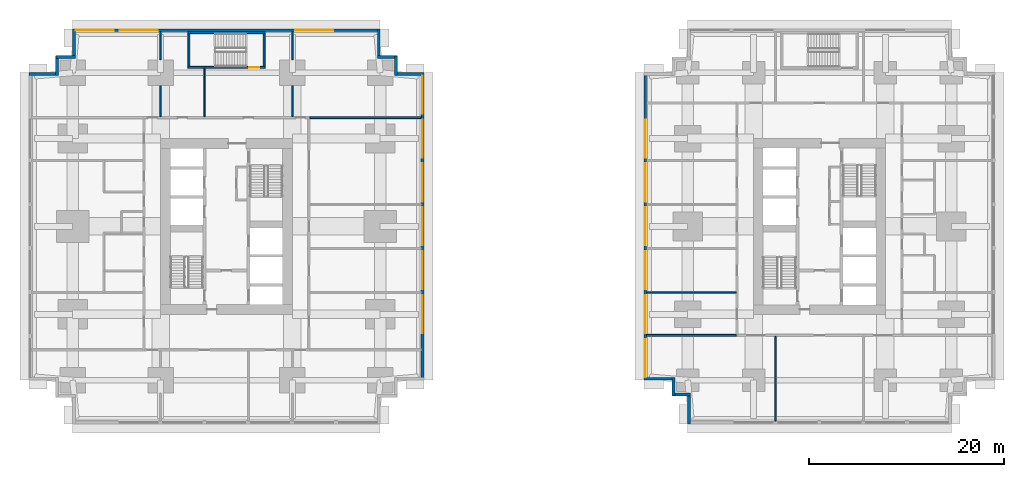
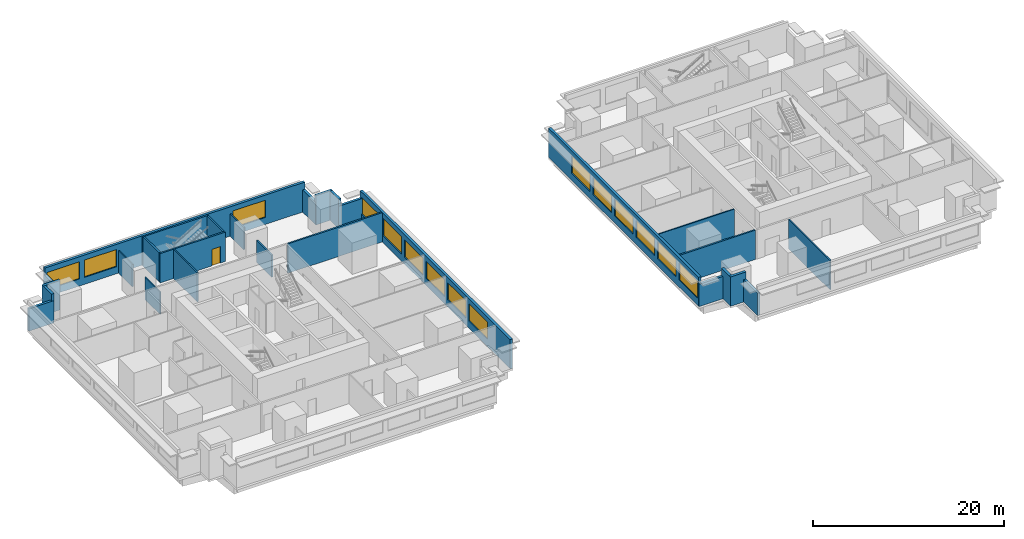
# One storey, part 5 of 11: 28 walls, 15 windows, 1 door, 16 openings.
"""IFC4 building model written with IfcOpenShell, lengths in metres."""

from ifc_helpers import new_model, si_unit, direction, frame, frame_2d, origin, place, context, subcontext, project, spatial, rectangle, extrude, material, layer, layer_set, type_object, element, fill, save


model = new_model("IFC4")

# Units and contexts
model_context = context("Model", 3, precision=1e-05, world=origin(), true_north=direction((0.0, 1.0)))
body_context = subcontext(model_context, "Body", "Model", "MODEL_VIEW")
ifc_project = project(units=[si_unit("LENGTHUNIT", "METRE"), si_unit("AREAUNIT", "SQUARE_METRE"), si_unit("VOLUMEUNIT", "CUBIC_METRE"), si_unit("PLANEANGLEUNIT", "RADIAN"), si_unit("MASSUNIT", "GRAM", prefix="KILO")], contexts=[model_context])

# Site, building, storey
site_placement = place(None, origin())
site = spatial("IfcSite", under=ifc_project, at=site_placement, CompositionType="ELEMENT")
building_placement = place(site_placement, origin())
building = spatial("IfcBuilding", under=site, at=building_placement, Name="Namib Vertical Campus", CompositionType="ELEMENT")
storey_placement = place(building_placement, frame((0.0, 0.0, 29.0)))
storey = spatial("IfcBuildingStorey", under=building, at=storey_placement, Name="L06", CompositionType="ELEMENT", Elevation=29.0)

# Walls
ifc_material_1 = material(Name="Concrete masonry", Category="masonry")
ifc_layer_1 = layer(ifc_material_1, 0.199951171875)
ifc_layer_set_1 = layer_set([ifc_layer_1], Name="Corridor wall 200")
wall_type_1 = type_object("IfcWallType", Name="Corridor wall 200", PredefinedType="SOLIDWALL", material=ifc_layer_set_1)
wall_1_placement = place(storey_placement, frame((28.800048828125, 31.39990234375, 0.0), z_axis=(0.0, 0.0, 1.0), x_axis=(1.0, 0.0, 0.0)))
element("IfcWall", 1, at=wall_1_placement, inside=storey, type_object=wall_type_1, Name="Partition A L06 BNE", PredefinedType="SOLIDWALL", context=body_context, shape_type="SweptSolid", body=[
    extrude(rectangle(XDim=11.39990234375, YDim=0.199951171875, at=frame_2d((5.699951171875, 0.0))), origin(), (0.0, 0.0, 1.0), 3.75),
])
wall_2_placement = place(storey_placement, frame((63.300048828125, 9.10009765625, 0.0), z_axis=(0.0, 0.0, 1.0), x_axis=(1.0, 0.0, 0.0)))
element("IfcWall", 2, at=wall_2_placement, inside=storey, type_object=wall_type_1, Name="Partition B L06 BSW", PredefinedType="SOLIDWALL", context=body_context, shape_type="SweptSolid", body=[
    extrude(rectangle(XDim=9.14990234375, YDim=0.199951171875, at=frame_2d((4.574951171875, 0.0))), origin(), (0.0, 0.0, 1.0), 3.75),
])

# Wall, openings, windows
ifc_material_2 = material(Name="Concrete C40/50", Category="concrete")
ifc_layer_2 = layer(ifc_material_2, 0.300048828125)
ifc_layer_set_2 = layer_set([ifc_layer_2], Name="Concrete C40/50")
wall_type_2 = type_object("IfcWallType", Name="External wall 300 board-marked concrete", PredefinedType="STANDARD", material=ifc_layer_set_2)
wall_3_placement = place(storey_placement, frame((40.35009765625, 4.52001953125, 0.0), z_axis=(0.0, 0.0, 1.0), x_axis=(0.0, 1.0, 0.0)))
wall_3 = element("IfcWall", 3, at=wall_3_placement, inside=storey, type_object=wall_type_2, Name="External wall L06 F06", PredefinedType="STANDARD", context=body_context, shape_type="SweptSolid", body=[
    extrude(rectangle(XDim=31.4599609375, YDim=0.300048828125, at=frame_2d((15.72998046875, 0.0))), origin(), (0.0, 0.0, 1.0), 3.75),
])
opening_1_placement = place(wall_3_placement, frame((4.780029296875, 0.0, 0.89990234375)))
opening_1 = element("IfcOpeningElement", 4, at=opening_1_placement, cuts=wall_3, Name="Opening W1", PredefinedType="OPENING", context=body_context, shape_type="SweptSolid", body=[
    extrude(rectangle(XDim=3.89990234375, YDim=2.199951171875, at=frame_2d((1.949951171875, 1.10009765625))), frame((0.0, 0.159912109375, 0.0), z_axis=(0.0, -1.0, 0.0), x_axis=(1.0, 0.0, 0.0)), (0.0, 0.0, 1.0), 0.320068359375),
])
opening_2_placement = place(wall_3_placement, frame((9.280029296875, 0.0, 0.89990234375)))
opening_2 = element("IfcOpeningElement", 5, at=opening_2_placement, cuts=wall_3, Name="Opening W1", PredefinedType="OPENING", context=body_context, shape_type="SweptSolid", body=[
    extrude(rectangle(XDim=3.89990234375, YDim=2.199951171875, at=frame_2d((1.949951171875, 1.10009765625))), frame((0.0, 0.159912109375, 0.0), z_axis=(0.0, -1.0, 0.0), x_axis=(1.0, 0.0, 0.0)), (0.0, 0.0, 1.0), 0.320068359375),
])
opening_3_placement = place(wall_3_placement, frame((13.780029296875, 0.0, 0.89990234375)))
opening_3 = element("IfcOpeningElement", 6, at=opening_3_placement, cuts=wall_3, Name="Opening W1", PredefinedType="OPENING", context=body_context, shape_type="SweptSolid", body=[
    extrude(rectangle(XDim=3.89990234375, YDim=2.199951171875, at=frame_2d((1.949951171875, 1.10009765625))), frame((0.0, 0.159912109375, 0.0), z_axis=(0.0, -1.0, 0.0), x_axis=(1.0, 0.0, 0.0)), (0.0, 0.0, 1.0), 0.320068359375),
])
opening_4_placement = place(wall_3_placement, frame((18.280029296875, 0.0, 0.89990234375)))
opening_4 = element("IfcOpeningElement", 7, at=opening_4_placement, cuts=wall_3, Name="Opening W1", PredefinedType="OPENING", context=body_context, shape_type="SweptSolid", body=[
    extrude(rectangle(XDim=3.89990234375, YDim=2.199951171875, at=frame_2d((1.949951171875, 1.10009765625))), frame((0.0, 0.159912109375, 0.0), z_axis=(0.0, -1.0, 0.0), x_axis=(1.0, 0.0, 0.0)), (0.0, 0.0, 1.0), 0.320068359375),
])
opening_5_placement = place(wall_3_placement, frame((22.780029296875, 0.0, 0.89990234375)))
opening_5 = element("IfcOpeningElement", 8, at=opening_5_placement, cuts=wall_3, Name="Opening W1", PredefinedType="OPENING", context=body_context, shape_type="SweptSolid", body=[
    extrude(rectangle(XDim=3.89990234375, YDim=2.199951171875, at=frame_2d((1.949951171875, 1.10009765625))), frame((0.0, 0.159912109375, 0.0), z_axis=(0.0, -1.0, 0.0), x_axis=(1.0, 0.0, 0.0)), (0.0, 0.0, 1.0), 0.320068359375),
])
opening_6_placement = place(wall_3_placement, frame((27.280029296875, 0.0, 0.89990234375)))
opening_6 = element("IfcOpeningElement", 9, at=opening_6_placement, cuts=wall_3, Name="Opening W1", PredefinedType="OPENING", context=body_context, shape_type="SweptSolid", body=[
    extrude(rectangle(XDim=3.89990234375, YDim=2.199951171875, at=frame_2d((1.949951171875, 1.10009765625))), frame((0.0, 0.159912109375, 0.0), z_axis=(0.0, -1.0, 0.0), x_axis=(1.0, 0.0, 0.0)), (0.0, 0.0, 1.0), 0.320068359375),
])
ifc_material_3 = material(Name="Dark tinted glass in black aluminium frame", Category="aluminium")
window_type = type_object("IfcWindowType", Name="Ribbon window 3900x2200", PartitioningType="SINGLE_PANEL", PredefinedType="WINDOW", material=ifc_material_3)
window_1_placement = place(opening_1_placement, origin())
window_1 = element("IfcWindow", 10, at=window_1_placement, inside=storey, type_object=window_type, Name="Window W1 L06 F06-2", OverallHeight=2.199951171875, OverallWidth=3.89990234375, PartitioningType="SINGLE_PANEL", PredefinedType="WINDOW", context=body_context, shape_type="SweptSolid", body=[
    extrude(rectangle(XDim=3.89990234375, YDim=2.199951171875, at=frame_2d((1.949951171875, 1.10009765625))), frame((0.0, 0.030029296875, 0.0), z_axis=(0.0, -1.0, 0.0), x_axis=(1.0, 0.0, 0.0)), (0.0, 0.0, 1.0), 0.06005859375),
])
fill(opening_1, window_1)
window_2_placement = place(opening_2_placement, origin())
window_2 = element("IfcWindow", 11, at=window_2_placement, inside=storey, type_object=window_type, Name="Window W1 L06 F06-3", OverallHeight=2.199951171875, OverallWidth=3.89990234375, PartitioningType="SINGLE_PANEL", PredefinedType="WINDOW", context=body_context, shape_type="SweptSolid", body=[
    extrude(rectangle(XDim=3.89990234375, YDim=2.199951171875, at=frame_2d((1.949951171875, 1.10009765625))), frame((0.0, 0.030029296875, 0.0), z_axis=(0.0, -1.0, 0.0), x_axis=(1.0, 0.0, 0.0)), (0.0, 0.0, 1.0), 0.06005859375),
])
fill(opening_2, window_2)
window_3_placement = place(opening_3_placement, origin())
window_3 = element("IfcWindow", 12, at=window_3_placement, inside=storey, type_object=window_type, Name="Window W1 L06 F06-4", OverallHeight=2.199951171875, OverallWidth=3.89990234375, PartitioningType="SINGLE_PANEL", PredefinedType="WINDOW", context=body_context, shape_type="SweptSolid", body=[
    extrude(rectangle(XDim=3.89990234375, YDim=2.199951171875, at=frame_2d((1.949951171875, 1.10009765625))), frame((0.0, 0.030029296875, 0.0), z_axis=(0.0, -1.0, 0.0), x_axis=(1.0, 0.0, 0.0)), (0.0, 0.0, 1.0), 0.06005859375),
])
fill(opening_3, window_3)
window_4_placement = place(opening_4_placement, origin())
window_4 = element("IfcWindow", 13, at=window_4_placement, inside=storey, type_object=window_type, Name="Window W1 L06 F06-5", OverallHeight=2.199951171875, OverallWidth=3.89990234375, PartitioningType="SINGLE_PANEL", PredefinedType="WINDOW", context=body_context, shape_type="SweptSolid", body=[
    extrude(rectangle(XDim=3.89990234375, YDim=2.199951171875, at=frame_2d((1.949951171875, 1.10009765625))), frame((0.0, 0.030029296875, 0.0), z_axis=(0.0, -1.0, 0.0), x_axis=(1.0, 0.0, 0.0)), (0.0, 0.0, 1.0), 0.06005859375),
])
fill(opening_4, window_4)
window_5_placement = place(opening_5_placement, origin())
window_5 = element("IfcWindow", 14, at=window_5_placement, inside=storey, type_object=window_type, Name="Window W1 L06 F06-6", OverallHeight=2.199951171875, OverallWidth=3.89990234375, PartitioningType="SINGLE_PANEL", PredefinedType="WINDOW", context=body_context, shape_type="SweptSolid", body=[
    extrude(rectangle(XDim=3.89990234375, YDim=2.199951171875, at=frame_2d((1.949951171875, 1.10009765625))), frame((0.0, 0.030029296875, 0.0), z_axis=(0.0, -1.0, 0.0), x_axis=(1.0, 0.0, 0.0)), (0.0, 0.0, 1.0), 0.06005859375),
])
fill(opening_5, window_5)
window_6_placement = place(opening_6_placement, origin())
window_6 = element("IfcWindow", 15, at=window_6_placement, inside=storey, type_object=window_type, Name="Window W1 L06 F06-7", OverallHeight=2.199951171875, OverallWidth=3.89990234375, PartitioningType="SINGLE_PANEL", PredefinedType="WINDOW", context=body_context, shape_type="SweptSolid", body=[
    extrude(rectangle(XDim=3.89990234375, YDim=2.199951171875, at=frame_2d((1.949951171875, 1.10009765625))), frame((0.0, 0.030029296875, 0.0), z_axis=(0.0, -1.0, 0.0), x_axis=(1.0, 0.0, 0.0)), (0.0, 0.0, 1.0), 0.06005859375),
])
fill(opening_6, window_6)

# Walls
wall_4_placement = place(storey_placement, frame((40.47998046875, 35.85009765625, 0.0), z_axis=(0.0, 0.0, 1.0), x_axis=(-1.0, 0.0, 0.0)))
element("IfcWall", 16, at=wall_4_placement, inside=storey, type_object=wall_type_2, Name="External wall L06 F07", PredefinedType="STANDARD", context=body_context, shape_type="SweptSolid", body=[
    extrude(rectangle(XDim=3.010009765625, YDim=0.300048828125, at=frame_2d((1.5048828125, 0.0))), origin(), (0.0, 0.0, 1.0), 2.85009765625),
])
for number, where, z_axis, x_axis, name in (
    (17, (37.60009765625, 35.719970703125, 0.0), (0.0, 0.0, 1.0), (0.0, 1.0, 0.0), "External wall L06 F08"),
    (18, (37.72998046875, 37.60009765625, 0.0), (0.0, 0.0, 1.0), (-1.0, 0.0, 0.0), "External wall L06 F09"),
):
    element("IfcWall", number, at=place(storey_placement, frame(where, z_axis=z_axis, x_axis=x_axis)), inside=storey, type_object=wall_type_2, Name=name, PredefinedType="STANDARD", context=body_context, shape_type="SweptSolid", body=[
        extrude(rectangle(XDim=2.010009765625, YDim=0.300048828125, at=frame_2d((1.0048828125, 0.0))), origin(), (0.0, 0.0, 1.0), 3.75),
    ])
wall_5_placement = place(storey_placement, frame((35.85009765625, 37.469970703125, 0.0), z_axis=(0.0, 0.0, 1.0), x_axis=(0.0, 1.0, 0.0)))
element("IfcWall", 19, at=wall_5_placement, inside=storey, type_object=wall_type_2, Name="External wall L06 F10", PredefinedType="STANDARD", context=body_context, shape_type="SweptSolid", body=[
    extrude(rectangle(XDim=3.010009765625, YDim=0.300048828125, at=frame_2d((1.5048828125, 0.0))), origin(), (0.0, 0.0, 1.0), 2.85009765625),
])

# Wall, openings, windows
wall_6_placement = place(storey_placement, frame((35.97998046875, 40.35009765625, 0.0), z_axis=(0.0, 0.0, 1.0), x_axis=(-1.0, 0.0, 0.0)))
wall_6 = element("IfcWall", 20, at=wall_6_placement, inside=storey, type_object=wall_type_2, Name="External wall L06 F11", PredefinedType="STANDARD", context=body_context, shape_type="SweptSolid", body=[
    extrude(rectangle(XDim=31.4599609375, YDim=0.300048828125, at=frame_2d((15.72998046875, 0.0))), origin(), (0.0, 0.0, 1.0), 3.75),
])
opening_7_placement = place(wall_6_placement, frame((27.280029296875, 0.0, 0.89990234375)))
opening_7 = element("IfcOpeningElement", 21, at=opening_7_placement, cuts=wall_6, Name="Opening W1", PredefinedType="OPENING", context=body_context, shape_type="SweptSolid", body=[
    extrude(rectangle(XDim=3.89990234375, YDim=2.199951171875, at=frame_2d((1.949951171875, 1.10009765625))), frame((0.0, 0.159912109375, 0.0), z_axis=(0.0, -1.0, 0.0), x_axis=(1.0, 0.0, 0.0)), (0.0, 0.0, 1.0), 0.320068359375),
])
opening_8_placement = place(wall_6_placement, frame((22.780029296875, 0.0, 0.89990234375)))
opening_8 = element("IfcOpeningElement", 22, at=opening_8_placement, cuts=wall_6, Name="Opening W1", PredefinedType="OPENING", context=body_context, shape_type="SweptSolid", body=[
    extrude(rectangle(XDim=3.89990234375, YDim=2.199951171875, at=frame_2d((1.949951171875, 1.10009765625))), frame((0.0, 0.159912109375, 0.0), z_axis=(0.0, -1.0, 0.0), x_axis=(1.0, 0.0, 0.0)), (0.0, 0.0, 1.0), 0.320068359375),
])
opening_9_placement = place(wall_6_placement, frame((4.780029296875, 0.0, 0.89990234375)))
opening_9 = element("IfcOpeningElement", 23, at=opening_9_placement, cuts=wall_6, Name="Opening W1", PredefinedType="OPENING", context=body_context, shape_type="SweptSolid", body=[
    extrude(rectangle(XDim=3.89990234375, YDim=2.199951171875, at=frame_2d((1.949951171875, 1.10009765625))), frame((0.0, 0.159912109375, 0.0), z_axis=(0.0, -1.0, 0.0), x_axis=(1.0, 0.0, 0.0)), (0.0, 0.0, 1.0), 0.320068359375),
])
window_7_placement = place(opening_7_placement, origin())
window_7 = element("IfcWindow", 24, at=window_7_placement, inside=storey, type_object=window_type, Name="Window W1 L06 F11-1", OverallHeight=2.199951171875, OverallWidth=3.89990234375, PartitioningType="SINGLE_PANEL", PredefinedType="WINDOW", context=body_context, shape_type="SweptSolid", body=[
    extrude(rectangle(XDim=3.89990234375, YDim=2.199951171875, at=frame_2d((1.949951171875, 1.10009765625))), frame((0.0, 0.030029296875, 0.0), z_axis=(0.0, -1.0, 0.0), x_axis=(1.0, 0.0, 0.0)), (0.0, 0.0, 1.0), 0.06005859375),
])
fill(opening_7, window_7)
window_8_placement = place(opening_8_placement, origin())
window_8 = element("IfcWindow", 25, at=window_8_placement, inside=storey, type_object=window_type, Name="Window W1 L06 F11-2", OverallHeight=2.199951171875, OverallWidth=3.89990234375, PartitioningType="SINGLE_PANEL", PredefinedType="WINDOW", context=body_context, shape_type="SweptSolid", body=[
    extrude(rectangle(XDim=3.89990234375, YDim=2.199951171875, at=frame_2d((1.949951171875, 1.10009765625))), frame((0.0, 0.030029296875, 0.0), z_axis=(0.0, -1.0, 0.0), x_axis=(1.0, 0.0, 0.0)), (0.0, 0.0, 1.0), 0.06005859375),
])
fill(opening_8, window_8)
window_9_placement = place(opening_9_placement, origin())
window_9 = element("IfcWindow", 26, at=window_9_placement, inside=storey, type_object=window_type, Name="Window W1 L06 F11-6", OverallHeight=2.199951171875, OverallWidth=3.89990234375, PartitioningType="SINGLE_PANEL", PredefinedType="WINDOW", context=body_context, shape_type="SweptSolid", body=[
    extrude(rectangle(XDim=3.89990234375, YDim=2.199951171875, at=frame_2d((1.949951171875, 1.10009765625))), frame((0.0, 0.030029296875, 0.0), z_axis=(0.0, -1.0, 0.0), x_axis=(1.0, 0.0, 0.0)), (0.0, 0.0, 1.0), 0.06005859375),
])
fill(opening_9, window_9)

# Walls
wall_7_placement = place(storey_placement, frame((4.64990234375, 40.47998046875, 0.0), z_axis=(0.0, 0.0, 1.0), x_axis=(0.0, -1.0, 0.0)))
element("IfcWall", 27, at=wall_7_placement, inside=storey, type_object=wall_type_2, Name="External wall L06 F12", PredefinedType="STANDARD", context=body_context, shape_type="SweptSolid", body=[
    extrude(rectangle(XDim=3.010009765625, YDim=0.300048828125, at=frame_2d((1.5048828125, 0.0))), origin(), (0.0, 0.0, 1.0), 2.85009765625),
])
for number, where, z_axis, x_axis, name in (
    (28, (4.780029296875, 37.60009765625, 0.0), (0.0, 0.0, 1.0), (-1.0, 0.0, 0.0), "External wall L06 F13"),
    (29, (2.89990234375, 37.72998046875, 0.0), (0.0, 0.0, 1.0), (0.0, -1.0, 0.0), "External wall L06 F14"),
):
    element("IfcWall", number, at=place(storey_placement, frame(where, z_axis=z_axis, x_axis=x_axis)), inside=storey, type_object=wall_type_2, Name=name, PredefinedType="STANDARD", context=body_context, shape_type="SweptSolid", body=[
        extrude(rectangle(XDim=2.010009765625, YDim=0.300048828125, at=frame_2d((1.0048828125, 0.0))), origin(), (0.0, 0.0, 1.0), 3.75),
    ])
wall_8_placement = place(storey_placement, frame((3.030029296875, 35.85009765625, 0.0), z_axis=(0.0, 0.0, 1.0), x_axis=(-1.0, 0.0, 0.0)))
element("IfcWall", 30, at=wall_8_placement, inside=storey, type_object=wall_type_2, Name="External wall L06 F15", PredefinedType="STANDARD", context=body_context, shape_type="SweptSolid", body=[
    extrude(rectangle(XDim=3.010009765625, YDim=0.300048828125, at=frame_2d((1.5048828125, 0.0))), origin(), (0.0, 0.0, 1.0), 2.85009765625),
])

# Wall, openings, windows
wall_9_placement = place(storey_placement, frame((63.14990234375, 35.97998046875, 0.0), z_axis=(0.0, 0.0, 1.0), x_axis=(0.0, -1.0, 0.0)))
wall_9 = element("IfcWall", 31, at=wall_9_placement, inside=storey, type_object=wall_type_2, Name="External wall L06 F16", PredefinedType="STANDARD", context=body_context, shape_type="SweptSolid", body=[
    extrude(rectangle(XDim=31.4599609375, YDim=0.300048828125, at=frame_2d((15.72998046875, 0.0))), origin(), (0.0, 0.0, 1.0), 3.75),
])
opening_10_placement = place(wall_9_placement, frame((27.280029296875, 0.0, 0.89990234375)))
opening_10 = element("IfcOpeningElement", 32, at=opening_10_placement, cuts=wall_9, Name="Opening W1", PredefinedType="OPENING", context=body_context, shape_type="SweptSolid", body=[
    extrude(rectangle(XDim=3.89990234375, YDim=2.199951171875, at=frame_2d((1.949951171875, 1.10009765625))), frame((0.0, 0.159912109375, 0.0), z_axis=(0.0, -1.0, 0.0), x_axis=(1.0, 0.0, 0.0)), (0.0, 0.0, 1.0), 0.320068359375),
])
opening_11_placement = place(wall_9_placement, frame((22.780029296875, 0.0, 0.89990234375)))
opening_11 = element("IfcOpeningElement", 33, at=opening_11_placement, cuts=wall_9, Name="Opening W1", PredefinedType="OPENING", context=body_context, shape_type="SweptSolid", body=[
    extrude(rectangle(XDim=3.89990234375, YDim=2.199951171875, at=frame_2d((1.949951171875, 1.10009765625))), frame((0.0, 0.159912109375, 0.0), z_axis=(0.0, -1.0, 0.0), x_axis=(1.0, 0.0, 0.0)), (0.0, 0.0, 1.0), 0.320068359375),
])
opening_12_placement = place(wall_9_placement, frame((18.280029296875, 0.0, 0.89990234375)))
opening_12 = element("IfcOpeningElement", 34, at=opening_12_placement, cuts=wall_9, Name="Opening W1", PredefinedType="OPENING", context=body_context, shape_type="SweptSolid", body=[
    extrude(rectangle(XDim=3.89990234375, YDim=2.199951171875, at=frame_2d((1.949951171875, 1.10009765625))), frame((0.0, 0.159912109375, 0.0), z_axis=(0.0, -1.0, 0.0), x_axis=(1.0, 0.0, 0.0)), (0.0, 0.0, 1.0), 0.320068359375),
])
opening_13_placement = place(wall_9_placement, frame((13.780029296875, 0.0, 0.89990234375)))
opening_13 = element("IfcOpeningElement", 35, at=opening_13_placement, cuts=wall_9, Name="Opening W1", PredefinedType="OPENING", context=body_context, shape_type="SweptSolid", body=[
    extrude(rectangle(XDim=3.89990234375, YDim=2.199951171875, at=frame_2d((1.949951171875, 1.10009765625))), frame((0.0, 0.159912109375, 0.0), z_axis=(0.0, -1.0, 0.0), x_axis=(1.0, 0.0, 0.0)), (0.0, 0.0, 1.0), 0.320068359375),
])
opening_14_placement = place(wall_9_placement, frame((9.280029296875, 0.0, 0.89990234375)))
opening_14 = element("IfcOpeningElement", 36, at=opening_14_placement, cuts=wall_9, Name="Opening W1", PredefinedType="OPENING", context=body_context, shape_type="SweptSolid", body=[
    extrude(rectangle(XDim=3.89990234375, YDim=2.199951171875, at=frame_2d((1.949951171875, 1.10009765625))), frame((0.0, 0.159912109375, 0.0), z_axis=(0.0, -1.0, 0.0), x_axis=(1.0, 0.0, 0.0)), (0.0, 0.0, 1.0), 0.320068359375),
])
opening_15_placement = place(wall_9_placement, frame((4.780029296875, 0.0, 0.89990234375)))
opening_15 = element("IfcOpeningElement", 37, at=opening_15_placement, cuts=wall_9, Name="Opening W1", PredefinedType="OPENING", context=body_context, shape_type="SweptSolid", body=[
    extrude(rectangle(XDim=3.89990234375, YDim=2.199951171875, at=frame_2d((1.949951171875, 1.10009765625))), frame((0.0, 0.159912109375, 0.0), z_axis=(0.0, -1.0, 0.0), x_axis=(1.0, 0.0, 0.0)), (0.0, 0.0, 1.0), 0.320068359375),
])
window_10_placement = place(opening_10_placement, origin())
window_10 = element("IfcWindow", 38, at=window_10_placement, inside=storey, type_object=window_type, Name="Window W1 L06 F16-1", OverallHeight=2.199951171875, OverallWidth=3.89990234375, PartitioningType="SINGLE_PANEL", PredefinedType="WINDOW", context=body_context, shape_type="SweptSolid", body=[
    extrude(rectangle(XDim=3.89990234375, YDim=2.199951171875, at=frame_2d((1.949951171875, 1.10009765625))), frame((0.0, 0.030029296875, 0.0), z_axis=(0.0, -1.0, 0.0), x_axis=(1.0, 0.0, 0.0)), (0.0, 0.0, 1.0), 0.06005859375),
])
fill(opening_10, window_10)
window_11_placement = place(opening_11_placement, origin())
window_11 = element("IfcWindow", 39, at=window_11_placement, inside=storey, type_object=window_type, Name="Window W1 L06 F16-2", OverallHeight=2.199951171875, OverallWidth=3.89990234375, PartitioningType="SINGLE_PANEL", PredefinedType="WINDOW", context=body_context, shape_type="SweptSolid", body=[
    extrude(rectangle(XDim=3.89990234375, YDim=2.199951171875, at=frame_2d((1.949951171875, 1.10009765625))), frame((0.0, 0.030029296875, 0.0), z_axis=(0.0, -1.0, 0.0), x_axis=(1.0, 0.0, 0.0)), (0.0, 0.0, 1.0), 0.06005859375),
])
fill(opening_11, window_11)
window_12_placement = place(opening_12_placement, origin())
window_12 = element("IfcWindow", 40, at=window_12_placement, inside=storey, type_object=window_type, Name="Window W1 L06 F16-3", OverallHeight=2.199951171875, OverallWidth=3.89990234375, PartitioningType="SINGLE_PANEL", PredefinedType="WINDOW", context=body_context, shape_type="SweptSolid", body=[
    extrude(rectangle(XDim=3.89990234375, YDim=2.199951171875, at=frame_2d((1.949951171875, 1.10009765625))), frame((0.0, 0.030029296875, 0.0), z_axis=(0.0, -1.0, 0.0), x_axis=(1.0, 0.0, 0.0)), (0.0, 0.0, 1.0), 0.06005859375),
])
fill(opening_12, window_12)
window_13_placement = place(opening_13_placement, origin())
window_13 = element("IfcWindow", 41, at=window_13_placement, inside=storey, type_object=window_type, Name="Window W1 L06 F16-4", OverallHeight=2.199951171875, OverallWidth=3.89990234375, PartitioningType="SINGLE_PANEL", PredefinedType="WINDOW", context=body_context, shape_type="SweptSolid", body=[
    extrude(rectangle(XDim=3.89990234375, YDim=2.199951171875, at=frame_2d((1.949951171875, 1.10009765625))), frame((0.0, 0.030029296875, 0.0), z_axis=(0.0, -1.0, 0.0), x_axis=(1.0, 0.0, 0.0)), (0.0, 0.0, 1.0), 0.06005859375),
])
fill(opening_13, window_13)
window_14_placement = place(opening_14_placement, origin())
window_14 = element("IfcWindow", 42, at=window_14_placement, inside=storey, type_object=window_type, Name="Window W1 L06 F16-5", OverallHeight=2.199951171875, OverallWidth=3.89990234375, PartitioningType="SINGLE_PANEL", PredefinedType="WINDOW", context=body_context, shape_type="SweptSolid", body=[
    extrude(rectangle(XDim=3.89990234375, YDim=2.199951171875, at=frame_2d((1.949951171875, 1.10009765625))), frame((0.0, 0.030029296875, 0.0), z_axis=(0.0, -1.0, 0.0), x_axis=(1.0, 0.0, 0.0)), (0.0, 0.0, 1.0), 0.06005859375),
])
fill(opening_14, window_14)
window_15_placement = place(opening_15_placement, origin())
window_15 = element("IfcWindow", 43, at=window_15_placement, inside=storey, type_object=window_type, Name="Window W1 L06 F16-6", OverallHeight=2.199951171875, OverallWidth=3.89990234375, PartitioningType="SINGLE_PANEL", PredefinedType="WINDOW", context=body_context, shape_type="SweptSolid", body=[
    extrude(rectangle(XDim=3.89990234375, YDim=2.199951171875, at=frame_2d((1.949951171875, 1.10009765625))), frame((0.0, 0.030029296875, 0.0), z_axis=(0.0, -1.0, 0.0), x_axis=(1.0, 0.0, 0.0)), (0.0, 0.0, 1.0), 0.06005859375),
])
fill(opening_15, window_15)

# Walls
wall_10_placement = place(storey_placement, frame((63.02001953125, 4.64990234375, 0.0), z_axis=(0.0, 0.0, 1.0), x_axis=(1.0, 0.0, 0.0)))
element("IfcWall", 44, at=wall_10_placement, inside=storey, type_object=wall_type_2, Name="External wall L06 F17", PredefinedType="STANDARD", context=body_context, shape_type="SweptSolid", body=[
    extrude(rectangle(XDim=3.159912109375, YDim=0.300048828125, at=frame_2d((1.580078125, 0.0))), origin(), (0.0, 0.0, 1.0), 2.85009765625),
])
for number, where, z_axis, x_axis, name in (
    (45, (66.050048828125, 4.780029296875, 0.0), (0.0, 0.0, 1.0), (0.0, -1.0, 0.0), "External wall L06 F18"),
    (46, (65.919921875, 3.050048828125, 0.0), (0.0, 0.0, 1.0), (1.0, 0.0, 0.0), "External wall L06 F19"),
):
    element("IfcWall", number, at=place(storey_placement, frame(where, z_axis=z_axis, x_axis=x_axis)), inside=storey, type_object=wall_type_2, Name=name, PredefinedType="STANDARD", context=body_context, shape_type="SweptSolid", body=[
        extrude(rectangle(XDim=1.860107421875, YDim=0.300048828125, at=frame_2d((0.93017578125, 0.0))), origin(), (0.0, 0.0, 1.0), 3.75),
    ])
wall_11_placement = place(storey_placement, frame((67.64990234375, 3.179931640625, 0.0), z_axis=(0.0, 0.0, 1.0), x_axis=(0.0, -1.0, 0.0)))
element("IfcWall", 47, at=wall_11_placement, inside=storey, type_object=wall_type_2, Name="External wall L06 F20", PredefinedType="STANDARD", context=body_context, shape_type="SweptSolid", body=[
    extrude(rectangle(XDim=3.159912109375, YDim=0.300048828125, at=frame_2d((1.580078125, 0.0))), origin(), (0.0, 0.0, 1.0), 2.85009765625),
])
ifc_material_4 = material(Name="Gypsum board on steel studs", Category="steel")
ifc_layer_3 = layer(ifc_material_4, 0.14990234375)
ifc_layer_set_3 = layer_set([ifc_layer_3], Name="Gypsum board on steel studs")
wall_type_3 = type_object("IfcWallType", Name="Partition 150", PredefinedType="PARTITIONING", material=ifc_layer_set_3)
wall_12_placement = place(storey_placement, frame((13.5, 31.5, 0.0), z_axis=(0.0, 0.0, 1.0), x_axis=(0.0, 1.0, 0.0)))
element("IfcWall", 48, at=wall_12_placement, inside=storey, type_object=wall_type_3, Name="Partition A L06 PN1", PredefinedType="PARTITIONING", context=body_context, shape_type="SweptSolid", body=[
    extrude(rectangle(XDim=3.179931640625, YDim=0.14990234375, at=frame_2d((1.58984375, 0.0))), origin(), (0.0, 0.0, 1.0), 2.85009765625),
])
wall_13_placement = place(storey_placement, frame((13.5, 37.320068359375, 0.0), z_axis=(0.0, 0.0, 1.0), x_axis=(0.0, 1.0, 0.0)))
element("IfcWall", 49, at=wall_13_placement, inside=storey, type_object=wall_type_3, Name="Partition A L06 PN1", PredefinedType="PARTITIONING", context=body_context, shape_type="SweptSolid", body=[
    extrude(rectangle(XDim=2.8798828125, YDim=0.14990234375, at=frame_2d((1.43994140625, 0.0))), origin(), (0.0, 0.0, 1.0), 2.85009765625),
])
wall_14_placement = place(storey_placement, frame((18.0, 31.5, 0.0), z_axis=(0.0, 0.0, 1.0), x_axis=(0.0, 1.0, 0.0)))
element("IfcWall", 50, at=wall_14_placement, inside=storey, type_object=wall_type_3, Name="Partition A L06 PN2", PredefinedType="PARTITIONING", context=body_context, shape_type="SweptSolid", body=[
    extrude(rectangle(XDim=4.949951171875, YDim=0.14990234375, at=frame_2d((2.47509765625, 0.0))), origin(), (0.0, 0.0, 1.0), 3.75),
])
wall_15_placement = place(storey_placement, frame((27.0, 31.5, 0.0), z_axis=(0.0, 0.0, 1.0), x_axis=(0.0, 1.0, 0.0)))
element("IfcWall", 51, at=wall_15_placement, inside=storey, type_object=wall_type_3, Name="Partition A L06 PN3", PredefinedType="PARTITIONING", context=body_context, shape_type="SweptSolid", body=[
    extrude(rectangle(XDim=3.179931640625, YDim=0.14990234375, at=frame_2d((1.58984375, 0.0))), origin(), (0.0, 0.0, 1.0), 2.85009765625),
])
wall_16_placement = place(storey_placement, frame((27.0, 37.320068359375, 0.0), z_axis=(0.0, 0.0, 1.0), x_axis=(0.0, 1.0, 0.0)))
element("IfcWall", 52, at=wall_16_placement, inside=storey, type_object=wall_type_3, Name="Partition A L06 PN3", PredefinedType="PARTITIONING", context=body_context, shape_type="SweptSolid", body=[
    extrude(rectangle(XDim=2.8798828125, YDim=0.14990234375, at=frame_2d((1.43994140625, 0.0))), origin(), (0.0, 0.0, 1.0), 2.85009765625),
])
wall_17_placement = place(storey_placement, frame((76.5, 0.300048828125, 0.0), z_axis=(0.0, 0.0, 1.0), x_axis=(0.0, 1.0, 0.0)))
element("IfcWall", 53, at=wall_17_placement, inside=storey, type_object=wall_type_3, Name="Partition B L06 PS1", PredefinedType="PARTITIONING", context=body_context, shape_type="SweptSolid", body=[
    extrude(rectangle(XDim=8.699951171875, YDim=0.14990234375, at=frame_2d((4.35009765625, 0.0))), origin(), (0.0, 0.0, 1.0), 3.75),
])
wall_18_placement = place(storey_placement, frame((63.300048828125, 13.5, 0.0), z_axis=(0.0, 0.0, 1.0), x_axis=(1.0, 0.0, 0.0)))
element("IfcWall", 54, at=wall_18_placement, inside=storey, type_object=wall_type_3, Name="Partition B L06 PW1", PredefinedType="PARTITIONING", context=body_context, shape_type="SweptSolid", body=[
    extrude(rectangle(XDim=9.14990234375, YDim=0.14990234375, at=frame_2d((4.574951171875, 0.0))), origin(), (0.0, 0.0, 1.0), 3.75),
])

# Wall, opening, door
ifc_material_5 = material(Name="Concrete C40/50", Category="concrete")
ifc_layer_4 = layer(ifc_material_5, 0.199951171875)
ifc_layer_set_4 = layer_set([ifc_layer_4], Name="Concrete C40/50")
wall_type_4 = type_object("IfcWallType", Name="Stair enclosure wall RC 200", PredefinedType="SOLIDWALL", material=ifc_layer_set_4)
wall_19_placement = place(storey_placement, frame((16.300048828125, 36.550048828125, 0.0), z_axis=(0.0, 0.0, 1.0), x_axis=(1.0, 0.0, 0.0)))
wall_19 = element("IfcWall", 55, at=wall_19_placement, inside=storey, type_object=wall_type_4, Name="Stair enclosure wall A-S3 L06 S", PredefinedType="SOLIDWALL", context=body_context, shape_type="SweptSolid", body=[
    extrude(rectangle(XDim=7.89990234375, YDim=0.199951171875, at=frame_2d((3.949951171875, 0.0))), origin(), (0.0, 0.0, 1.0), 3.75),
])
opening_16_placement = place(wall_19_placement, frame((6.300048828125, 0.0, 0.0)))
opening_16 = element("IfcOpeningElement", 56, at=opening_16_placement, cuts=wall_19, Name="Opening FD1", PredefinedType="OPENING", context=body_context, shape_type="SweptSolid", body=[
    extrude(rectangle(XDim=1.0, YDim=2.10009765625, at=frame_2d((0.5, 1.050048828125))), frame((0.0, 0.10986328125, 0.0), z_axis=(0.0, -1.0, 0.0), x_axis=(1.0, 0.0, 0.0)), (0.0, 0.0, 1.0), 0.219970703125),
])
ifc_material_6 = material(Name="Steel fire door", Category="steel")
door_type = type_object("IfcDoorType", Name="Fire door 1000x2100", OperationType="SINGLE_SWING_RIGHT", PredefinedType="DOOR", material=ifc_material_6)
door_placement = place(opening_16_placement, origin())
door = element("IfcDoor", 57, at=door_placement, inside=storey, type_object=door_type, Name="Stair door FD1 A L06 S3", OperationType="SINGLE_SWING_RIGHT", OverallHeight=2.10009765625, OverallWidth=1.0, PredefinedType="DOOR", context=body_context, shape_type="SweptSolid", body=[
    extrude(rectangle(XDim=1.0, YDim=2.10009765625, at=frame_2d((0.5, 1.050048828125))), frame((0.0, 0.02490234375, 0.0), z_axis=(0.0, -1.0, 0.0), x_axis=(1.0, 0.0, 0.0)), (0.0, 0.0, 1.0), 0.050048828125),
])
fill(opening_16, door)

# Walls
wall_20_placement = place(storey_placement, frame((16.300048828125, 40.10009765625, 0.0), z_axis=(0.0, 0.0, 1.0), x_axis=(1.0, 0.0, 0.0)))
element("IfcWall", 58, at=wall_20_placement, inside=storey, type_object=wall_type_4, Name="Stair enclosure wall A-S3 L06 N", PredefinedType="SOLIDWALL", context=body_context, shape_type="SweptSolid", body=[
    extrude(rectangle(XDim=7.89990234375, YDim=0.199951171875, at=frame_2d((3.949951171875, 0.0))), origin(), (0.0, 0.0, 1.0), 3.75),
])
for number, where, z_axis, x_axis, name in (
    (59, (16.39990234375, 36.64990234375, 0.0), (0.0, 0.0, 1.0), (0.0, 1.0, 0.0), "Stair enclosure wall A-S3 L06 W"),
    (60, (24.10009765625, 36.64990234375, 0.0), (0.0, 0.0, 1.0), (0.0, 1.0, 0.0), "Stair enclosure wall A-S3 L06 E"),
):
    element("IfcWall", number, at=place(storey_placement, frame(where, z_axis=z_axis, x_axis=x_axis)), inside=storey, type_object=wall_type_4, Name=name, PredefinedType="SOLIDWALL", context=body_context, shape_type="SweptSolid", body=[
        extrude(rectangle(XDim=3.35009765625, YDim=0.199951171875, at=frame_2d((1.675048828125, 0.0))), origin(), (0.0, 0.0, 1.0), 3.75),
    ])

save(model, "model.ifc")
